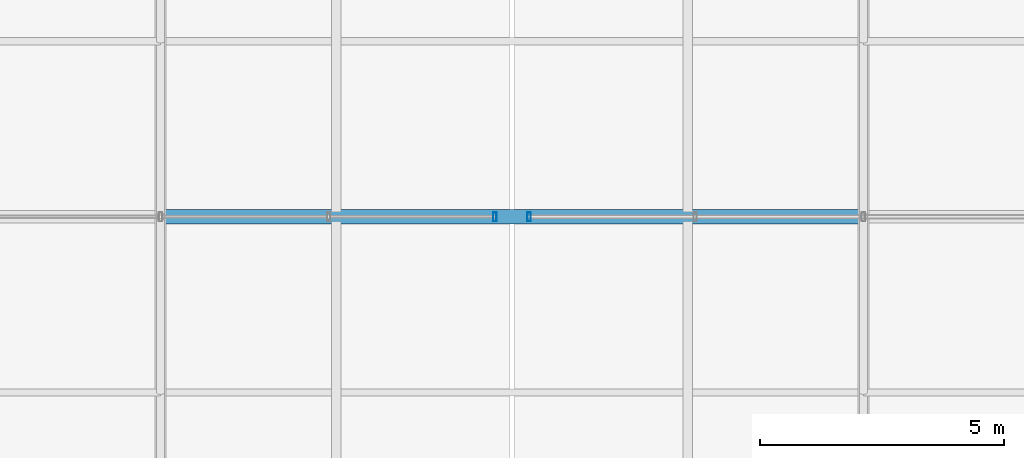
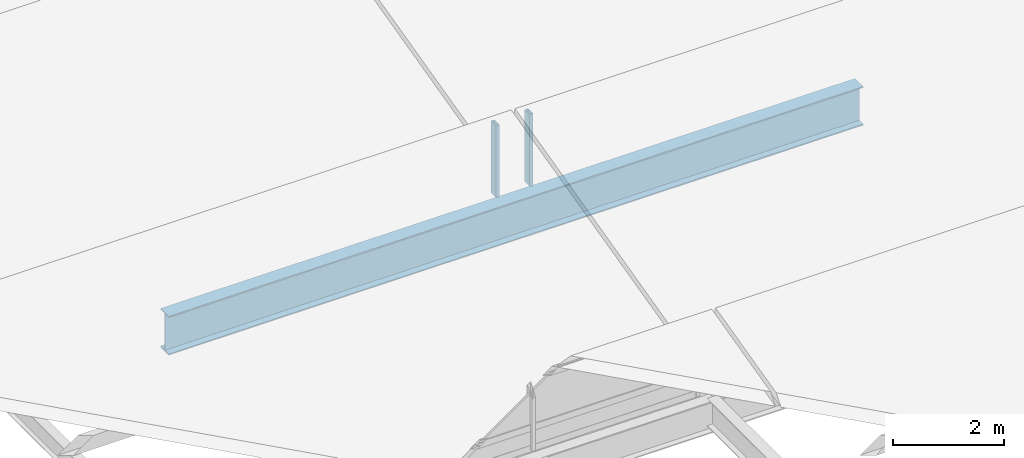
# One storey, part 66 of 144: 2 members, 1 beam, 2 elements without a shape of their own.
"""IFC4 building model written with IfcOpenShell, lengths in metres."""

from ifc_helpers import new_model, si_unit, direction, frame, origin, origin_2d, place, context, subcontext, project, spatial, hollow_rectangle, i_section, extrude, material, material_profile, profile_set, type_object, element, aggregate, save


model = new_model("IFC4")

# Units and contexts
model_context = context("Model", 3, precision=1e-05, world=origin(), true_north=direction((0.0, 1.0)))
body_context = subcontext(model_context, "Body", "Model", "MODEL_VIEW")
ifc_project = project(units=[si_unit("LENGTHUNIT", "METRE"), si_unit("AREAUNIT", "SQUARE_METRE"), si_unit("VOLUMEUNIT", "CUBIC_METRE"), si_unit("PLANEANGLEUNIT", "RADIAN"), si_unit("MASSUNIT", "GRAM", prefix="KILO")], contexts=[model_context])

# Site, building, storey
site_placement = place(None, origin())
site = spatial("IfcSite", under=ifc_project, at=site_placement, CompositionType="ELEMENT")
building_placement = place(site_placement, origin())
building = spatial("IfcBuilding", under=site, at=building_placement, Name="Yarey Park Central Fire Station", CompositionType="ELEMENT")
storey_placement = place(building_placement, frame((0.0, 0.0, 10.199951171875)))
storey = spatial("IfcBuildingStorey", under=building, at=storey_placement, Name="L03", CompositionType="ELEMENT", Elevation=10.199951171875)

# Curtain wall, member
ifc_material_1 = material(Name="Anodized Aluminium Frame", Category="aluminium")
curtain_wall_type = type_object("IfcCurtainWallType", Name="ENV_CW_SAW_18", PredefinedType="NOTDEFINED", material=ifc_material_1)
curtain_wall_1_placement = place(storey_placement, origin())
curtain_wall_1 = element("IfcCurtainWall", 1, at=curtain_wall_1_placement, inside=storey, type_object=curtain_wall_type, Name="CW_L03_SAW_3_1", PredefinedType="NOTDEFINED")
ifc_material_profile_1 = material_profile(ifc_material_1, hollow_rectangle(XDim=0.070068359375, YDim=0.179931640625, WallThickness=0.00390625, at=origin_2d()), Name="ALU 180x70x4")
ifc_profile_set_1 = profile_set([ifc_material_profile_1], Name="Anodized Aluminium Frame")
member_type = type_object("IfcMemberType", Name="ENV_CW_MULLION", PredefinedType="MULLION", material=ifc_profile_set_1)
member_1_placement = place(storey_placement, frame((150.85009765625, 64.800048828125, 0.0), z_axis=(0.0, 0.0, 1.0), x_axis=(1.0, 0.0, 0.0)))
member_1 = element("IfcMember", 2, at=member_1_placement, type_object=member_type, Name="CW_L03_SAW_3_1_MUL1", PredefinedType="MULLION", context=body_context, shape_type="SweptSolid", body=[
    extrude(hollow_rectangle(XDim=0.070068359375, YDim=0.179931640625, WallThickness=0.00390625, at=origin_2d()), origin(), (0.0, 0.0, 1.0), 1.580078125),
])
aggregate(curtain_wall_1, [member_1])

curtain_wall_2_placement = place(storey_placement, origin())
curtain_wall_2 = element("IfcCurtainWall", 3, at=curtain_wall_2_placement, inside=storey, type_object=curtain_wall_type, Name="CW_L03_SAW_3_2", PredefinedType="NOTDEFINED")
member_2_placement = place(storey_placement, frame((151.550048828125, 64.800048828125, 0.0), z_axis=(0.0, 0.0, 1.0), x_axis=(1.0, 0.0, 0.0)))
member_2 = element("IfcMember", 4, at=member_2_placement, type_object=member_type, Name="CW_L03_SAW_3_2_MUL5", PredefinedType="MULLION", context=body_context, shape_type="SweptSolid", body=[
    extrude(hollow_rectangle(XDim=0.070068359375, YDim=0.179931640625, WallThickness=0.00390625, at=origin_2d()), origin(), (0.0, 0.0, 1.0), 1.580078125),
])
aggregate(curtain_wall_2, [member_2])

# Beam
ifc_material_2 = material(Name="Steel ASTM A992 Gr. 50", Category="steel")
ifc_material_profile_2 = material_profile(ifc_material_2, i_section(OverallWidth=0.2939453125, OverallDepth=0.85107421875, WebThickness=0.01611328125, FlangeThickness=0.02685546875, at=origin_2d()), Name="W840x226")
ifc_profile_set_2 = profile_set([ifc_material_profile_2], Name="Steel ASTM A992 Gr. 50")
beam_type = type_object("IfcBeamType", Name="STR_BM_W840", PredefinedType="BEAM", material=ifc_profile_set_2)
beam_placement = place(storey_placement, frame((144.0, 64.800048828125, -0.60546875), z_axis=(1.0, 0.0, 0.0), x_axis=(0.0, 1.0, 0.0)))
element("IfcBeam", 5, at=beam_placement, inside=storey, type_object=beam_type, Name="BMX L03 Y648 X1440", PredefinedType="BEAM", context=body_context, shape_type="SweptSolid", body=[
    extrude(i_section(OverallWidth=0.2939453125, OverallDepth=0.85107421875, WebThickness=0.01611328125, FlangeThickness=0.02685546875, at=origin_2d()), origin(), (0.0, 0.0, 1.0), 14.39990234375),
])

save(model, "model.ifc")
